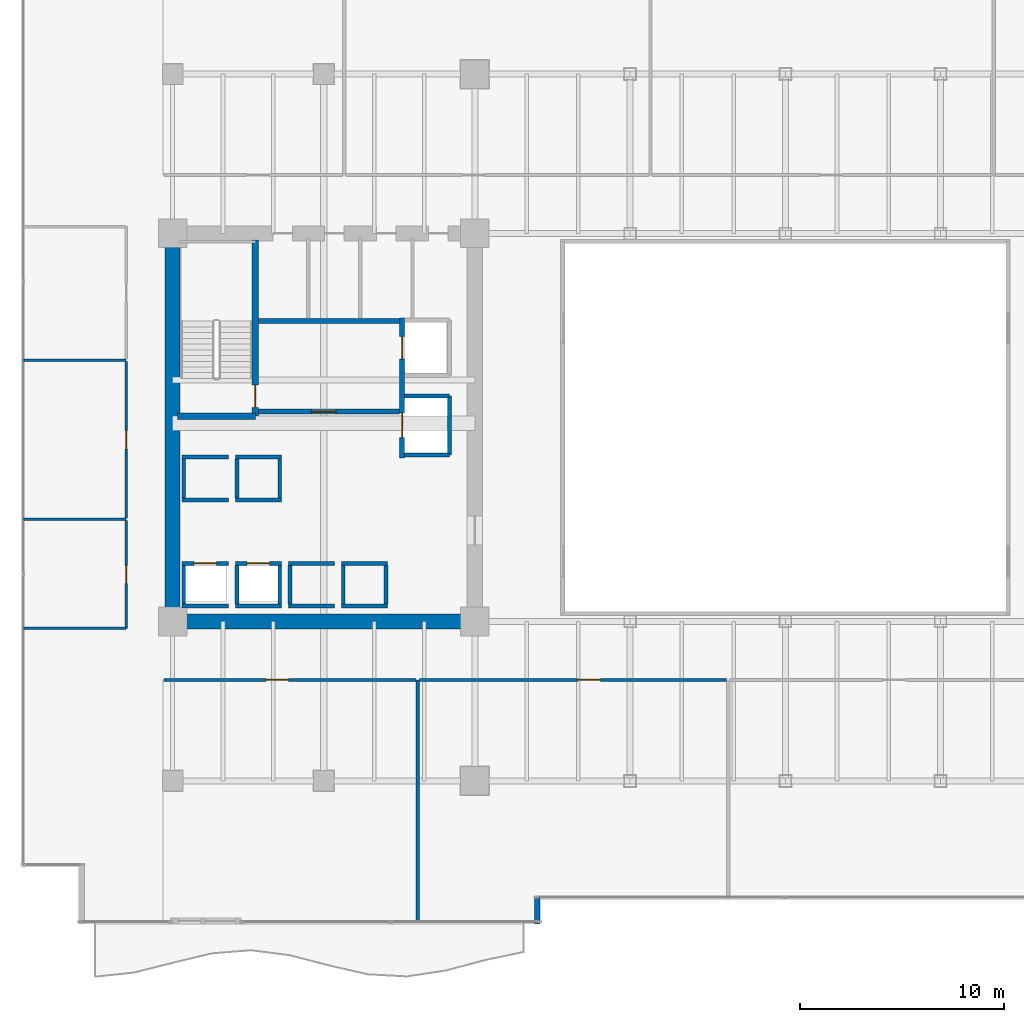
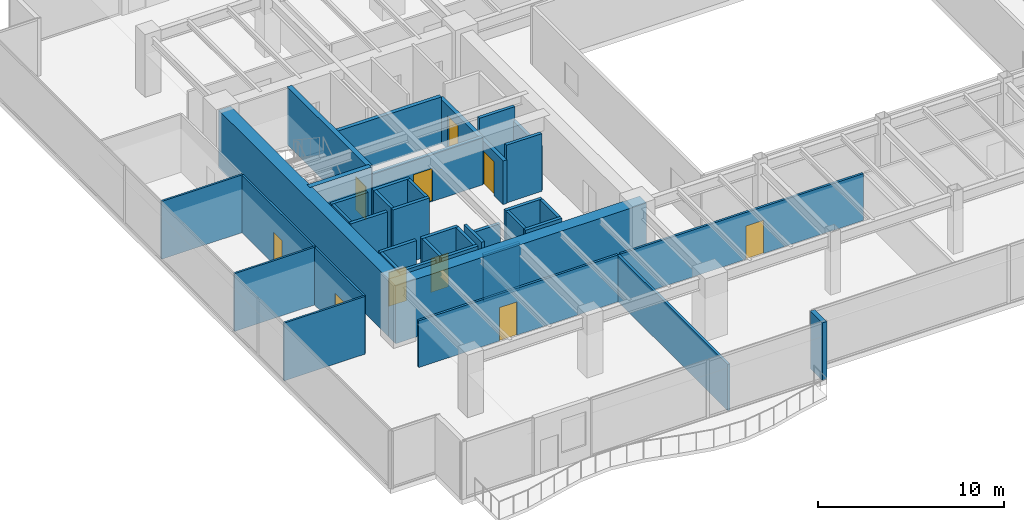
# One storey, part 24 of 32: 40 walls, 10 doors, 10 openings.
"""IFC4 building model written with IfcOpenShell, lengths in metres."""

import ifcopenshell
import ifcopenshell.guid

model = None  # the IFC model being written
_history = None  # IfcOwnerHistory: only IFC2X3 demands one
_inside = {}  # id of a spatial element -> (the spatial element, [elements in it])
_under = {}  # id of a project, library or spatial element -> (it, [spatial elements below it])
_declared = {}  # id of a project -> (the project, [libraries it declares])
_typed = {}  # id of a type object -> (the type object, [elements of that type])
_made_of = {}  # id of a material, layer set ... -> (it, [elements and type objects made of it])


def new_model(schema):
    """Start an empty IFC model of exactly this schema.

    Asked for "IFC4X3", IfcOpenShell would pick the latest addendum, in which some entities
    have other attributes; the version numbers below select the first issue.
    IFC2X3 requires an IfcOwnerHistory on every rooted entity: one is made here for all.
    """
    global model, _history
    if schema == "IFC4X3":
        model = ifcopenshell.file(schema_version=(4, 3, 0, 0))
    else:
        model = ifcopenshell.file(schema=schema)
    _inside.clear()
    _under.clear()
    _declared.clear()
    _typed.clear()
    _made_of.clear()
    _history = None
    if model.schema == "IFC2X3":
        org = make("IfcOrganization", Name="unknown")
        user = make(
            "IfcPersonAndOrganization",
            ThePerson=make("IfcPerson", FamilyName="unknown"),
            TheOrganization=org,
        )
        app = make(
            "IfcApplication",
            ApplicationDeveloper=org,
            Version="unknown",
            ApplicationFullName="unknown",
            ApplicationIdentifier="unknown",
        )
        _history = make(
            "IfcOwnerHistory",
            OwningUser=user,
            OwningApplication=app,
            ChangeAction="ADDED",
            CreationDate=0,
        )
    return model


def make(cls, **values):
    """One entity of the class cls with the attributes given. An attribute that is None is left unset."""
    return model.create_entity(
        cls, **{name: value for name, value in values.items() if value is not None}
    )


def rooted(cls, **values):
    """An entity with a GlobalId (a new one), such as an element, a storey or a relation."""
    return make(cls, GlobalId=ifcopenshell.guid.new(), OwnerHistory=_history, **values)


def si_unit(unit_type, name, prefix=None):
    """IfcSIUnit, for example si_unit("LENGTHUNIT", "METRE", prefix="MILLI")."""
    return make("IfcSIUnit", UnitType=unit_type, Prefix=prefix, Name=name)


def assignment(units):
    """IfcUnitAssignment: the units of a project."""
    return None if units is None else make("IfcUnitAssignment", Units=units)


def point(xyz):
    """IfcCartesianPoint."""
    return None if xyz is None else make("IfcCartesianPoint", Coordinates=xyz)


def direction(xyz):
    """IfcDirection."""
    return None if xyz is None else make("IfcDirection", DirectionRatios=xyz)


def frame(location, z_axis=None, x_axis=None):
    """IfcAxis2Placement3D, a coordinate frame: its origin and axes. An axis left out is left unset."""
    return make(
        "IfcAxis2Placement3D",
        Location=point(location),
        Axis=direction(z_axis),
        RefDirection=direction(x_axis),
    )


def frame_2d(location, x_axis=None):
    """IfcAxis2Placement2D, a coordinate frame in the plane: its origin and x axis."""
    return make(
        "IfcAxis2Placement2D", Location=point(location), RefDirection=direction(x_axis)
    )


def origin():
    """The frame at (0, 0, 0) with its axes left unset."""
    return frame((0.0, 0.0, 0.0))


def place(relative_to, where):
    """IfcLocalPlacement: puts the frame where relative to a parent placement (None: the world)."""
    return make(
        "IfcLocalPlacement", PlacementRelTo=relative_to, RelativePlacement=where
    )


def context(
    kind, dimensions, precision=None, world=None, true_north=None, identifier=None
):
    """IfcGeometricRepresentationContext, for example the 3D "Model" context."""
    return make(
        "IfcGeometricRepresentationContext",
        ContextIdentifier=identifier,
        ContextType=kind,
        CoordinateSpaceDimension=dimensions,
        Precision=precision,
        WorldCoordinateSystem=world,
        TrueNorth=true_north,
    )


def subcontext(parent, identifier, kind, view, scale=None):
    """IfcGeometricRepresentationSubContext, for example "Body" below "Model"."""
    return make(
        "IfcGeometricRepresentationSubContext",
        ContextIdentifier=identifier,
        ContextType=kind,
        ParentContext=parent,
        TargetScale=scale,
        TargetView=view,
    )


def project(units=None, contexts=None):
    """IfcProject with its units and contexts."""
    return rooted(
        "IfcProject",
        Name="project",
        RepresentationContexts=contexts,
        UnitsInContext=assignment(units),
    )


def spatial(cls, under=None, at=None, **own):
    """A site, building, storey or space (cls), placed at a placement, below another one or the project."""
    s = rooted(cls, ObjectPlacement=at, **own)
    if under is not None:
        _under.setdefault(under.id(), (under, []))[1].append(s)
    return s


def profile(cls, at=None, kind="AREA", **sizes):
    """A parametric profile (cls). Its sizes go by their IFC names, for example OverallWidth=200.0."""
    return make(cls, ProfileType=kind, Position=at, **sizes)


def rectangle(**sizes):
    """IfcRectangleProfileDef."""
    return profile("IfcRectangleProfileDef", **sizes)


def extrude(swept, where, along, depth):
    """IfcExtrudedAreaSolid: the profile swept, set in the frame where, extruded along a direction by depth."""
    return make(
        "IfcExtrudedAreaSolid",
        SweptArea=swept,
        Position=where,
        ExtrudedDirection=direction(along),
        Depth=depth,
    )


def shape(context_of_items, identifier, shape_type, items):
    """IfcShapeRepresentation: the items that make up one representation, for example the "Body"."""
    return make(
        "IfcShapeRepresentation",
        ContextOfItems=context_of_items,
        RepresentationIdentifier=identifier,
        RepresentationType=shape_type,
        Items=items,
    )


def source(mapping_origin, context_of_items, identifier, shape_type, items):
    """IfcRepresentationMap: a shape defined once, which mapped items show again and again."""
    return make(
        "IfcRepresentationMap",
        MappingOrigin=mapping_origin,
        MappedRepresentation=shape(context_of_items, identifier, shape_type, items),
    )


def transform(
    local_origin,
    x_axis=None,
    y_axis=None,
    z_axis=None,
    scale=None,
    scale2=None,
    scale3=None,
    uniform=True,
):
    """IfcCartesianTransformationOperator3D, or its non-uniform kind. x_axis, y_axis, z_axis: its Axis1, 2, 3."""
    if uniform:
        return make(
            "IfcCartesianTransformationOperator3D",
            Axis1=direction(x_axis),
            Axis2=direction(y_axis),
            LocalOrigin=point(local_origin),
            Scale=scale,
            Axis3=direction(z_axis),
        )
    return make(
        "IfcCartesianTransformationOperator3DnonUniform",
        Axis1=direction(x_axis),
        Axis2=direction(y_axis),
        LocalOrigin=point(local_origin),
        Scale=scale,
        Axis3=direction(z_axis),
        Scale2=scale2,
        Scale3=scale3,
    )


def mapped(mapping_source, mapping_target):
    """IfcMappedItem: shows the shape of a source again, moved by a transform."""
    return make(
        "IfcMappedItem", MappingSource=mapping_source, MappingTarget=mapping_target
    )


def material(Name=None, Category=None):
    """IfcMaterial."""
    return make("IfcMaterial", Name=Name, Category=Category)


def layer(
    of_material, thickness, ventilated=None, Name=None, Category=None, Priority=None
):
    """IfcMaterialLayer: one layer of a wall or slab, of a material (None: an air gap)."""
    return make(
        "IfcMaterialLayer",
        Material=of_material,
        LayerThickness=thickness,
        IsVentilated=ventilated,
        Name=Name,
        Category=Category,
        Priority=Priority,
    )


def layer_set(layers, Name=None):
    """IfcMaterialLayerSet."""
    return make("IfcMaterialLayerSet", MaterialLayers=layers, LayerSetName=Name)


def made_of(thing, what):
    """Note that an element or type object is made of a material, layer set ...; save() writes the relation."""
    if what is not None:
        _made_of.setdefault(what.id(), (what, []))[1].append(thing)
    return thing


def type_object(cls, material=None, **own):
    """A type object (cls), such as IfcWallType, which elements share."""
    return made_of(rooted(cls, **own), material)


def type_shapes(of_type, sources):
    """Give a type object the sources (RepresentationMaps) that its elements show as mapped items."""
    of_type.RepresentationMaps = sources


def element(
    cls,
    number,
    at=None,
    inside=None,
    cuts=None,
    type_object=None,
    material=None,
    context=None,
    identifier="Body",
    shape_type=None,
    held_by="IfcProductDefinitionShape",
    body=None,
    shapes=None,
    **own,
):
    """One element of the class cls, such as IfcWall. Its Tag is "e" and its number.

    at: its placement. inside: the storey or other place that contains it. cuts: it is an
    opening in that element (IfcRelVoidsElement). A single representation is given by context,
    identifier, shape_type and body (its items); several are given by shapes. held_by: the class
    of the entity that holds the representations. save() writes the other relations.
    """
    e = rooted(cls, Tag="e%d" % number, ObjectPlacement=at, **own)
    if body is not None:
        shapes = [shape(context, identifier, shape_type, body)]
    if shapes is not None:
        e.Representation = make(held_by, Representations=shapes)
    if inside is not None:
        _inside.setdefault(inside.id(), (inside, []))[1].append(e)
    if cuts is not None:
        rooted(
            "IfcRelVoidsElement", RelatingBuildingElement=cuts, RelatedOpeningElement=e
        )
    if type_object is not None:
        _typed.setdefault(type_object.id(), (type_object, []))[1].append(e)
    return made_of(e, material)


def fill(opening, filler):
    """IfcRelFillsElement: the door or window that sits in an opening."""
    return rooted(
        "IfcRelFillsElement",
        RelatingOpeningElement=opening,
        RelatedBuildingElement=filler,
    )


def aggregate(whole, parts):
    """IfcRelAggregates: a whole, such as a stair, and the parts it consists of."""
    return rooted("IfcRelAggregates", RelatingObject=whole, RelatedObjects=parts)


def save(model, path):
    """Write the relations noted so far, then the file.

    IfcRelAggregates (storeys below a building ...), IfcRelContainedInSpatialStructure (elements
    in a storey), IfcRelDefinesByType, IfcRelAssociatesMaterial and IfcRelDeclares: one each for
    every whole, place, type object, material and project.
    """
    for whole, parts in _under.values():
        aggregate(whole, parts)
    for where, things in _inside.values():
        rooted(
            "IfcRelContainedInSpatialStructure",
            RelatedElements=things,
            RelatingStructure=where,
        )
    for kind, things in _typed.values():
        rooted("IfcRelDefinesByType", RelatedObjects=things, RelatingType=kind)
    for what, things in _made_of.values():
        rooted("IfcRelAssociatesMaterial", RelatedObjects=things, RelatingMaterial=what)
    for by, libraries in _declared.values():
        rooted("IfcRelDeclares", RelatingContext=by, RelatedDefinitions=libraries)
    model.write(path)


model = new_model("IFC4")

# Units and contexts
model_context = context("Model", 3, precision=1e-05, world=origin(), true_north=direction((0.0, 1.0)))
body_context = subcontext(model_context, "Body", "Model", "MODEL_VIEW")
ifc_project = project(units=[si_unit("LENGTHUNIT", "METRE"), si_unit("AREAUNIT", "SQUARE_METRE"), si_unit("VOLUMEUNIT", "CUBIC_METRE"), si_unit("PLANEANGLEUNIT", "RADIAN"), si_unit("MASSUNIT", "GRAM", prefix="KILO")], contexts=[model_context])

# Site, building, storey
site_placement = place(None, origin())
site = spatial("IfcSite", under=ifc_project, at=site_placement, CompositionType="ELEMENT")
building_placement = place(site_placement, origin())
building = spatial("IfcBuilding", under=site, at=building_placement, Name="Haelvirn Gate Laboratories", CompositionType="ELEMENT")
storey_placement = place(building_placement, frame((0.0, 0.0, 33.39990234375)))
storey = spatial("IfcBuildingStorey", under=building, at=storey_placement, Name="L08", CompositionType="ELEMENT", Elevation=33.39990234375)

# Walls
ifc_material_1 = material(Name="Thermally-broken bronze aluminium rainscreen & mineral wool", Category="aluminium")
ifc_layer_1 = layer(ifc_material_1, 0.280029296875, Name="EW-TERR-280")
ifc_layer_set_1 = layer_set([ifc_layer_1], Name="Thermally-broken bronze aluminium rainscreen & mineral wool")
wall_type_1 = type_object("IfcWallType", Name="EW-TERR-280", PredefinedType="STANDARD", material=ifc_layer_set_1)
wall_1_placement = place(storey_placement, frame((25.260009765625, 0.0, 0.0), z_axis=(0.0, 0.0, 1.0), x_axis=(0.0, 1.0, 0.0)))
element("IfcWall", 1, at=wall_1_placement, inside=storey, type_object=wall_type_1, Name="L08 Atrium Recess Bronze Return Wall 01", PredefinedType="STANDARD", context=body_context, shape_type="SweptSolid", body=[
    extrude(rectangle(XDim=1.2880859375, YDim=0.280029296875, at=frame_2d((0.64404296875, 0.0))), origin(), (0.0, 0.0, 1.0), 3.780029296875),
])
ifc_material_2 = material(Name="Double-layer acoustic gypsum laboratory partition", Category="gypsum")
ifc_layer_2 = layer(ifc_material_2, 0.159912109375, Name="IW-ACOUST-160")
ifc_layer_set_2 = layer_set([ifc_layer_2], Name="Double-layer acoustic gypsum laboratory partition")
wall_type_2 = type_object("IfcWallType", Name="IW-ACOUST-160", PredefinedType="PARTITIONING", material=ifc_layer_set_2)
wall_2_placement = place(storey_placement, frame((19.39990234375, 0.110107421875, 0.0), z_axis=(0.0, 0.0, 1.0), x_axis=(0.0, 1.0, 0.0)))
element("IfcWall", 2, at=wall_2_placement, inside=storey, type_object=wall_type_2, Name="L08 Interior Wall IW-L08-SDIV-01", PredefinedType="PARTITIONING", context=body_context, shape_type="SweptSolid", body=[
    extrude(rectangle(XDim=11.829833984375, YDim=0.159912109375, at=frame_2d((5.9150390625, 0.0))), origin(), (0.0, 0.0, 1.0), 3.01513671875),
])
ifc_material_3 = material(Name="Lightweight acoustic gypsum board partition", Category="gypsum")
ifc_layer_3 = layer(ifc_material_3, 0.1201171875, Name="IW-PART-120")
ifc_layer_set_3 = layer_set([ifc_layer_3], Name="Lightweight acoustic gypsum board partition")
wall_type_3 = type_object("IfcWallType", Name="IW-PART-120", PredefinedType="PARTITIONING", material=ifc_layer_set_3)
wall_3_placement = place(storey_placement, frame((0.110107421875, 14.465087890625, 0.0), z_axis=(0.0, 0.0, 1.0), x_axis=(1.0, 0.0, 0.0)))
element("IfcWall", 3, at=wall_3_placement, inside=storey, type_object=wall_type_3, Name="L08 Interior Wall IW-L08-WCAP-S", PredefinedType="PARTITIONING", context=body_context, shape_type="SweptSolid", body=[
    extrude(rectangle(XDim=5.019775390625, YDim=0.1201171875, at=frame_2d((2.509765625, 0.0))), origin(), (0.0, 0.0, 1.0), 3.780029296875),
])

# Wall, opening, door
wall_4_placement = place(storey_placement, frame((5.1298828125, 14.465087890625, 0.0), z_axis=(0.0, 0.0, 1.0), x_axis=(0.0, 1.0, 0.0)))
wall_4 = element("IfcWall", 4, at=wall_4_placement, inside=storey, type_object=wall_type_3, Name="L08 Interior Wall IW-L08-WPASS-01", PredefinedType="PARTITIONING", context=body_context, shape_type="SweptSolid", body=[
    extrude(rectangle(XDim=5.27490234375, YDim=0.1201171875, at=frame_2d((2.637451171875, 0.0))), origin(), (0.0, 0.0, 1.0), 3.780029296875),
])
opening_1_placement = place(wall_4_placement, frame((2.1875, 0.0, 0.0)))
opening_1 = element("IfcOpeningElement", 5, at=opening_1_placement, cuts=wall_4, Name="Opening D4", PredefinedType="OPENING", context=body_context, shape_type="SweptSolid", body=[
    extrude(rectangle(XDim=0.89990234375, YDim=2.10009765625, at=frame_2d((0.449951171875, 1.050048828125))), frame((0.0, 0.070068359375, 0.0), z_axis=(0.0, -1.0, 0.0), x_axis=(1.0, 0.0, 0.0)), (0.0, 0.0, 1.0), 0.14013671875),
])
ifc_material_4 = material(Name="Glazed aluminium-framed write-up door", Category="aluminium")
door_type_1 = type_object("IfcDoorType", Name="DR-OFF-900", OperationType="NOTDEFINED", PredefinedType="DOOR", material=ifc_material_4)
shared_shape_1 = source(origin(), body_context, "Body", "SweptSolid", [
    extrude(rectangle(XDim=0.89990234375, YDim=2.10009765625, at=frame_2d((0.449951171875, 1.050048828125))), frame((0.0, 0.02490234375, 0.0), z_axis=(0.0, -1.0, 0.0), x_axis=(1.0, 0.0, 0.0)), (0.0, 0.0, 1.0), 0.050048828125),
])
type_shapes(door_type_1, [shared_shape_1])
door_1_placement = place(opening_1_placement, origin())
door_1 = element("IfcDoor", 6, at=door_1_placement, inside=storey, type_object=door_type_1, Name="L08 Bioprocess Foundry Laboratory Door W1", OperationType="SINGLE_SWING_LEFT", OverallHeight=2.10009765625, OverallWidth=0.89990234375, PredefinedType="DOOR", context=body_context, shape_type="MappedRepresentation", body=[
    mapped(shared_shape_1, transform((0.0, 0.0, 0.0), scale=1.0)),
])
fill(opening_1, door_1)

# Wall
wall_5_placement = place(storey_placement, frame((0.110107421875, 19.800048828125, 0.0), z_axis=(0.0, 0.0, 1.0), x_axis=(1.0, 0.0, 0.0)))
element("IfcWall", 7, at=wall_5_placement, inside=storey, type_object=wall_type_3, Name="L08 Interior Wall IW-L08-WDIV-01", PredefinedType="PARTITIONING", context=body_context, shape_type="SweptSolid", body=[
    extrude(rectangle(XDim=5.019775390625, YDim=0.1201171875, at=frame_2d((2.509765625, 0.0))), origin(), (0.0, 0.0, 1.0), 3.780029296875),
])

# Wall, opening, door
wall_6_placement = place(storey_placement, frame((5.1298828125, 19.860107421875, 0.0), z_axis=(0.0, 0.0, 1.0), x_axis=(0.0, 1.0, 0.0)))
wall_6 = element("IfcWall", 8, at=wall_6_placement, inside=storey, type_object=wall_type_3, Name="L08 Interior Wall IW-L08-WPASS-02", PredefinedType="PARTITIONING", context=body_context, shape_type="SweptSolid", body=[
    extrude(rectangle(XDim=7.679931640625, YDim=0.1201171875, at=frame_2d((3.83984375, 0.0))), origin(), (0.0, 0.0, 1.0), 3.780029296875),
])
opening_2_placement = place(wall_6_placement, frame((3.389892578125, 0.0, 0.0)))
opening_2 = element("IfcOpeningElement", 9, at=opening_2_placement, cuts=wall_6, Name="Opening D4", PredefinedType="OPENING", context=body_context, shape_type="SweptSolid", body=[
    extrude(rectangle(XDim=0.89990234375, YDim=2.10009765625, at=frame_2d((0.449951171875, 1.050048828125))), frame((0.0, 0.070068359375, 0.0), z_axis=(0.0, -1.0, 0.0), x_axis=(1.0, 0.0, 0.0)), (0.0, 0.0, 1.0), 0.14013671875),
])
door_2_placement = place(opening_2_placement, origin())
door_2 = element("IfcDoor", 10, at=door_2_placement, inside=storey, type_object=door_type_1, Name="L08 Genomics Assay Laboratory Door W2", OperationType="SINGLE_SWING_RIGHT", OverallHeight=2.10009765625, OverallWidth=0.89990234375, PredefinedType="DOOR", context=body_context, shape_type="MappedRepresentation", body=[
    mapped(shared_shape_1, transform((0.0, 0.0, 0.0), scale=1.0)),
])
fill(opening_2, door_2)

# Wall
wall_7_placement = place(storey_placement, frame((0.110107421875, 27.60009765625, 0.0), z_axis=(0.0, 0.0, 1.0), x_axis=(1.0, 0.0, 0.0)))
element("IfcWall", 11, at=wall_7_placement, inside=storey, type_object=wall_type_3, Name="L08 Interior Wall IW-L08-WDIV-02", PredefinedType="PARTITIONING", context=body_context, shape_type="SweptSolid", body=[
    extrude(rectangle(XDim=5.019775390625, YDim=0.1201171875, at=frame_2d((2.509765625, 0.0))), origin(), (0.0, 0.0, 1.0), 3.780029296875),
])

# Wall, opening, door
ifc_material_5 = material(Name="Acoustic mineral-wool gypsum board partition", Category="gypsum")
ifc_layer_4 = layer(ifc_material_5, 0.139892578125, Name="IW-PART-140")
ifc_layer_set_4 = layer_set([ifc_layer_4], Name="Acoustic mineral-wool gypsum board partition")
wall_type_4 = type_object("IfcWallType", Name="IW-PART-140", PredefinedType="PARTITIONING", material=ifc_layer_set_4)
wall_8_placement = place(storey_placement, frame((6.97998046875, 11.93994140625, 0.0), z_axis=(0.0, 0.0, 1.0), x_axis=(1.0, 0.0, 0.0)))
wall_8 = element("IfcWall", 12, at=wall_8_placement, inside=storey, type_object=wall_type_4, Name="L08 Interior Wall IW-L08-SCORR-01", PredefinedType="PARTITIONING", context=body_context, shape_type="SweptSolid", body=[
    extrude(rectangle(XDim=12.340087890625, YDim=0.139892578125, at=frame_2d((6.169921875, 0.0))), origin(), (0.0, 0.0, 1.0), 3.065185546875),
])
opening_3_placement = place(wall_8_placement, frame((4.987548828125, 0.0, 0.0)))
opening_3 = element("IfcOpeningElement", 13, at=opening_3_placement, cuts=wall_8, Name="Opening D1", PredefinedType="OPENING", context=body_context, shape_type="SweptSolid", body=[
    extrude(rectangle(XDim=1.10009765625, YDim=2.179931640625, at=frame_2d((0.550048828125, 1.08984375))), frame((0.0, 0.080078125, 0.0), z_axis=(0.0, -1.0, 0.0), x_axis=(1.0, 0.0, 0.0)), (0.0, 0.0, 1.0), 0.159912109375),
])
ifc_material_6 = material(Name="Vision-panel acoustic solid-core timber lab door", Category="wood")
door_type_2 = type_object("IfcDoorType", Name="DR-LAB-1100", OperationType="NOTDEFINED", PredefinedType="DOOR", material=ifc_material_6)
shared_shape_2 = source(origin(), body_context, "Body", "SweptSolid", [
    extrude(rectangle(XDim=1.10009765625, YDim=2.179931640625, at=frame_2d((0.550048828125, 1.08984375))), frame((0.0, 0.02490234375, 0.0), z_axis=(0.0, -1.0, 0.0), x_axis=(1.0, 0.0, 0.0)), (0.0, 0.0, 1.0), 0.050048828125),
])
type_shapes(door_type_2, [shared_shape_2])
door_3_placement = place(opening_3_placement, origin())
door_3 = element("IfcDoor", 14, at=door_3_placement, inside=storey, type_object=door_type_2, Name="L08 Bioinformatics Dry-Lab Workspace Door S1", OperationType="SINGLE_SWING_LEFT", OverallHeight=2.179931640625, OverallWidth=1.10009765625, PredefinedType="DOOR", context=body_context, shape_type="MappedRepresentation", body=[
    mapped(shared_shape_2, transform((0.0, 0.0, 0.0), scale=1.0)),
])
fill(opening_3, door_3)

wall_9_placement = place(storey_placement, frame((19.47998046875, 11.93994140625, 0.0), z_axis=(0.0, 0.0, 1.0), x_axis=(1.0, 0.0, 0.0)))
wall_9 = element("IfcWall", 15, at=wall_9_placement, inside=storey, type_object=wall_type_4, Name="L08 Interior Wall IW-L08-SCORR-02", PredefinedType="PARTITIONING", context=body_context, shape_type="SweptSolid", body=[
    extrude(rectangle(XDim=15.0400390625, YDim=0.139892578125, at=frame_2d((7.52001953125, 0.0))), origin(), (0.0, 0.0, 1.0), 3.065185546875),
])
opening_4_placement = place(wall_9_placement, frame((7.764404296875, 0.0, 0.0)))
opening_4 = element("IfcOpeningElement", 16, at=opening_4_placement, cuts=wall_9, Name="Opening D1", PredefinedType="OPENING", context=body_context, shape_type="SweptSolid", body=[
    extrude(rectangle(XDim=1.10009765625, YDim=2.179931640625, at=frame_2d((0.550048828125, 1.08984375))), frame((0.0, 0.080078125, 0.0), z_axis=(0.0, -1.0, 0.0), x_axis=(1.0, 0.0, 0.0)), (0.0, 0.0, 1.0), 0.159912109375),
])
door_4_placement = place(opening_4_placement, origin())
door_4 = element("IfcDoor", 17, at=door_4_placement, inside=storey, type_object=door_type_2, Name="L08 Translational Data Office Door S2", OperationType="SINGLE_SWING_RIGHT", OverallHeight=2.179931640625, OverallWidth=1.10009765625, PredefinedType="DOOR", context=body_context, shape_type="MappedRepresentation", body=[
    mapped(shared_shape_2, transform((0.0, 0.0, 0.0), scale=1.0)),
])
fill(opening_4, door_4)

# Walls
ifc_material_7 = material(Name="Concrete C40/50", Category="concrete")
ifc_layer_5 = layer(ifc_material_7, 0.179931640625, Name="IW-SHAFT-180")
ifc_layer_set_5 = layer_set([ifc_layer_5], Name="Concrete C40/50")
wall_type_5 = type_object("IfcWallType", Name="IW-SHAFT-180", PredefinedType="SOLIDWALL", material=ifc_layer_set_5)
for number, where, z_axis, x_axis, name in (
    (18, (7.949951171875, 15.64990234375, 0.0), (0.0, 0.0, 1.0), (0.0, 1.0, 0.0), "L08 Interior Wall IW-L08-PL1-SD"),
    (19, (10.550048828125, 15.64990234375, 0.0), (0.0, 0.0, 1.0), (0.0, 1.0, 0.0), "L08 Interior Wall IW-L08-PL2-SD"),
    (20, (12.64990234375, 15.64990234375, 0.0), (0.0, 0.0, 1.0), (0.0, 1.0, 0.0), "L08 Interior Wall IW-L08-PL2-SDE"),
    (21, (13.14990234375, 15.64990234375, 0.0), (0.0, 0.0, 1.0), (0.0, 1.0, 0.0), "L08 Interior Wall IW-L08-PL5-SD"),
    (22, (15.75, 15.64990234375, 0.0), (0.0, 0.0, 1.0), (0.0, 1.0, 0.0), "L08 Interior Wall IW-L08-PL6-SD"),
    (23, (17.85009765625, 15.64990234375, 0.0), (0.0, 0.0, 1.0), (0.0, 1.0, 0.0), "L08 Interior Wall IW-L08-PL6-SDE"),
):
    element("IfcWall", number, at=place(storey_placement, frame(where, z_axis=z_axis, x_axis=x_axis)), inside=storey, type_object=wall_type_5, Name=name, PredefinedType="SOLIDWALL", context=body_context, shape_type="SweptSolid", body=[
        extrude(rectangle(XDim=1.900146484375, YDim=0.179931640625, at=frame_2d((0.9501953125, 0.0))), origin(), (0.0, 0.0, 1.0), 3.780029296875),
    ])
for number, where, z_axis, x_axis, name in (
    (24, (7.949951171875, 20.85009765625, 0.0), (0.0, 0.0, 1.0), (0.0, 1.0, 0.0), "L08 Interior Wall IW-L08-PL9-SD"),
    (25, (10.550048828125, 20.85009765625, 0.0), (0.0, 0.0, 1.0), (0.0, 1.0, 0.0), "L08 Interior Wall IW-L08-PL10-SD"),
    (26, (12.64990234375, 20.85009765625, 0.0), (0.0, 0.0, 1.0), (0.0, 1.0, 0.0), "L08 Interior Wall IW-L08-PL10-SDE"),
):
    element("IfcWall", number, at=place(storey_placement, frame(where, z_axis=z_axis, x_axis=x_axis)), inside=storey, type_object=wall_type_5, Name=name, PredefinedType="SOLIDWALL", context=body_context, shape_type="SweptSolid", body=[
        extrude(rectangle(XDim=1.89990234375, YDim=0.179931640625, at=frame_2d((0.949951171875, 0.0))), origin(), (0.0, 0.0, 1.0), 3.780029296875),
    ])

# Wall, opening, door
ifc_layer_6 = layer(ifc_material_7, 0.199951171875, Name="IW-SHAFT-200")
ifc_layer_set_6 = layer_set([ifc_layer_6], Name="Concrete C40/50")
wall_type_6 = type_object("IfcWallType", Name="IW-SHAFT-200", PredefinedType="SOLIDWALL", material=ifc_layer_set_6)
wall_10_placement = place(storey_placement, frame((7.8701171875, 17.64990234375, 0.0), z_axis=(0.0, 0.0, 1.0), x_axis=(1.0, 0.0, 0.0)))
wall_10 = element("IfcWall", 27, at=wall_10_placement, inside=storey, type_object=wall_type_6, Name="L08 Interior Wall IW-L08-PL1-FR", PredefinedType="SOLIDWALL", context=body_context, shape_type="SweptSolid", body=[
    extrude(rectangle(XDim=2.259765625, YDim=0.199951171875, at=frame_2d((1.1298828125, 0.0))), origin(), (0.0, 0.0, 1.0), 3.780029296875),
])
opening_5_placement = place(wall_10_placement, frame((0.580078125, 0.0, 0.0)))
opening_5 = element("IfcOpeningElement", 28, at=opening_5_placement, cuts=wall_10, Name="Opening LD2", PredefinedType="OPENING", context=body_context, shape_type="SweptSolid", body=[
    extrude(rectangle(XDim=1.10009765625, YDim=2.219970703125, at=frame_2d((0.550048828125, 1.10986328125))), frame((0.0, 0.10986328125, 0.0), z_axis=(0.0, -1.0, 0.0), x_axis=(1.0, 0.0, 0.0)), (0.0, 0.0, 1.0), 0.219970703125),
])
ifc_material_8 = material(Name="Bronze stainless 316L sliding lift landing door")
door_type_3 = type_object("IfcDoorType", Name="DR-LD-1100", OperationType="NOTDEFINED", PredefinedType="USERDEFINED", material=ifc_material_8)
shared_shape_3 = source(origin(), body_context, "Body", "SweptSolid", [
    extrude(rectangle(XDim=1.10009765625, YDim=2.219970703125, at=frame_2d((0.550048828125, 1.10986328125))), frame((0.0, 0.02490234375, 0.0), z_axis=(0.0, -1.0, 0.0), x_axis=(1.0, 0.0, 0.0)), (0.0, 0.0, 1.0), 0.050048828125),
])
type_shapes(door_type_3, [shared_shape_3])
door_5_placement = place(opening_5_placement, origin())
door_5 = element("IfcDoor", 29, at=door_5_placement, inside=storey, type_object=door_type_3, Name="L08 Passenger Lift PL1 Landing Door", ObjectType="LANDING_DOOR", OperationType="SLIDING_TO_LEFT", OverallHeight=2.219970703125, OverallWidth=1.10009765625, PredefinedType="USERDEFINED", context=body_context, shape_type="MappedRepresentation", body=[
    mapped(shared_shape_3, transform((0.0, 0.0, 0.0), scale=1.0)),
])
fill(opening_5, door_5)

# Wall
wall_11_placement = place(storey_placement, frame((7.8701171875, 15.550048828125, 0.0), z_axis=(0.0, 0.0, 1.0), x_axis=(1.0, 0.0, 0.0)))
element("IfcWall", 30, at=wall_11_placement, inside=storey, type_object=wall_type_6, Name="L08 Interior Wall IW-L08-PL1-BK", PredefinedType="SOLIDWALL", context=body_context, shape_type="SweptSolid", body=[
    extrude(rectangle(XDim=2.259765625, YDim=0.199951171875, at=frame_2d((1.1298828125, 0.0))), origin(), (0.0, 0.0, 1.0), 3.780029296875),
])

# Wall, opening, door
wall_12_placement = place(storey_placement, frame((10.469970703125, 17.64990234375, 0.0), z_axis=(0.0, 0.0, 1.0), x_axis=(1.0, 0.0, 0.0)))
wall_12 = element("IfcWall", 31, at=wall_12_placement, inside=storey, type_object=wall_type_6, Name="L08 Interior Wall IW-L08-PL2-FR", PredefinedType="SOLIDWALL", context=body_context, shape_type="SweptSolid", body=[
    extrude(rectangle(XDim=2.260009765625, YDim=0.199951171875, at=frame_2d((1.1298828125, 0.0))), origin(), (0.0, 0.0, 1.0), 3.780029296875),
])
opening_6_placement = place(wall_12_placement, frame((0.580078125, 0.0, 0.0)))
opening_6 = element("IfcOpeningElement", 32, at=opening_6_placement, cuts=wall_12, Name="Opening LD2", PredefinedType="OPENING", context=body_context, shape_type="SweptSolid", body=[
    extrude(rectangle(XDim=1.10009765625, YDim=2.219970703125, at=frame_2d((0.550048828125, 1.10986328125))), frame((0.0, 0.10986328125, 0.0), z_axis=(0.0, -1.0, 0.0), x_axis=(1.0, 0.0, 0.0)), (0.0, 0.0, 1.0), 0.219970703125),
])
door_6_placement = place(opening_6_placement, origin())
door_6 = element("IfcDoor", 33, at=door_6_placement, inside=storey, type_object=door_type_3, Name="L08 Passenger Lift PL2 Landing Door", ObjectType="LANDING_DOOR", OperationType="SLIDING_TO_RIGHT", OverallHeight=2.219970703125, OverallWidth=1.10009765625, PredefinedType="USERDEFINED", context=body_context, shape_type="MappedRepresentation", body=[
    mapped(shared_shape_3, transform((0.0, 0.0, 0.0), scale=1.0)),
])
fill(opening_6, door_6)

# Walls
wall_13_placement = place(storey_placement, frame((10.469970703125, 15.550048828125, 0.0), z_axis=(0.0, 0.0, 1.0), x_axis=(1.0, 0.0, 0.0)))
element("IfcWall", 34, at=wall_13_placement, inside=storey, type_object=wall_type_6, Name="L08 Interior Wall IW-L08-PL2-BK", PredefinedType="SOLIDWALL", context=body_context, shape_type="SweptSolid", body=[
    extrude(rectangle(XDim=2.260009765625, YDim=0.199951171875, at=frame_2d((1.1298828125, 0.0))), origin(), (0.0, 0.0, 1.0), 3.780029296875),
])
for number, where, z_axis, x_axis, name in (
    (35, (13.070068359375, 17.64990234375, 0.0), (0.0, 0.0, 1.0), (1.0, 0.0, 0.0), "L08 Interior Wall IW-L08-PL5-FR"),
    (36, (13.070068359375, 15.550048828125, 0.0), (0.0, 0.0, 1.0), (1.0, 0.0, 0.0), "L08 Interior Wall IW-L08-PL5-BK"),
):
    element("IfcWall", number, at=place(storey_placement, frame(where, z_axis=z_axis, x_axis=x_axis)), inside=storey, type_object=wall_type_6, Name=name, PredefinedType="SOLIDWALL", context=body_context, shape_type="SweptSolid", body=[
        extrude(rectangle(XDim=2.260009765625, YDim=0.199951171875, at=frame_2d((1.1298828125, 0.0))), origin(), (0.0, 0.0, 1.0), 3.065185546875),
    ])
for number, where, z_axis, x_axis, name in (
    (37, (15.669921875, 17.64990234375, 0.0), (0.0, 0.0, 1.0), (1.0, 0.0, 0.0), "L08 Interior Wall IW-L08-PL6-FR"),
    (38, (15.669921875, 15.550048828125, 0.0), (0.0, 0.0, 1.0), (1.0, 0.0, 0.0), "L08 Interior Wall IW-L08-PL6-BK"),
):
    element("IfcWall", number, at=place(storey_placement, frame(where, z_axis=z_axis, x_axis=x_axis)), inside=storey, type_object=wall_type_6, Name=name, PredefinedType="SOLIDWALL", context=body_context, shape_type="SweptSolid", body=[
        extrude(rectangle(XDim=2.260009765625, YDim=0.199951171875, at=frame_2d((1.1298828125, 0.0))), origin(), (0.0, 0.0, 1.0), 3.780029296875),
    ])
for number, where, z_axis, x_axis, name in (
    (39, (7.8701171875, 20.75, 0.0), (0.0, 0.0, 1.0), (1.0, 0.0, 0.0), "L08 Interior Wall IW-L08-PL9-FR"),
    (40, (7.8701171875, 22.85009765625, 0.0), (0.0, 0.0, 1.0), (1.0, 0.0, 0.0), "L08 Interior Wall IW-L08-PL9-BK"),
):
    element("IfcWall", number, at=place(storey_placement, frame(where, z_axis=z_axis, x_axis=x_axis)), inside=storey, type_object=wall_type_6, Name=name, PredefinedType="SOLIDWALL", context=body_context, shape_type="SweptSolid", body=[
        extrude(rectangle(XDim=2.259765625, YDim=0.199951171875, at=frame_2d((1.1298828125, 0.0))), origin(), (0.0, 0.0, 1.0), 3.780029296875),
    ])
for number, where, z_axis, x_axis, name in (
    (41, (10.469970703125, 20.75, 0.0), (0.0, 0.0, 1.0), (1.0, 0.0, 0.0), "L08 Interior Wall IW-L08-PL10-FR"),
    (42, (10.469970703125, 22.85009765625, 0.0), (0.0, 0.0, 1.0), (1.0, 0.0, 0.0), "L08 Interior Wall IW-L08-PL10-BK"),
):
    element("IfcWall", number, at=place(storey_placement, frame(where, z_axis=z_axis, x_axis=x_axis)), inside=storey, type_object=wall_type_6, Name=name, PredefinedType="SOLIDWALL", context=body_context, shape_type="SweptSolid", body=[
        extrude(rectangle(XDim=2.260009765625, YDim=0.199951171875, at=frame_2d((1.1298828125, 0.0))), origin(), (0.0, 0.0, 1.0), 3.780029296875),
    ])
wall_14_placement = place(storey_placement, frame((20.949951171875, 22.949951171875, 0.0), z_axis=(0.0, 0.0, 1.0), x_axis=(0.0, 1.0, 0.0)))
element("IfcWall", 43, at=wall_14_placement, inside=storey, type_object=wall_type_6, Name="L08 Interior Wall IW-L08-SL1-BK", PredefinedType="SOLIDWALL", context=body_context, shape_type="SweptSolid", body=[
    extrude(rectangle(XDim=2.900146484375, YDim=0.199951171875, at=frame_2d((1.4501953125, 0.0))), origin(), (0.0, 0.0, 1.0), 2.864990234375),
])
for number, where, z_axis, x_axis, name in (
    (44, (18.760009765625, 25.85009765625, 0.0), (0.0, 0.0, 1.0), (1.0, 0.0, 0.0), "L08 Interior Wall IW-L08-SL1-N"),
    (45, (18.760009765625, 22.949951171875, 0.0), (0.0, 0.0, 1.0), (1.0, 0.0, 0.0), "L08 Interior Wall IW-L08-SL1-S"),
):
    element("IfcWall", number, at=place(storey_placement, frame(where, z_axis=z_axis, x_axis=x_axis)), inside=storey, type_object=wall_type_6, Name=name, PredefinedType="SOLIDWALL", context=body_context, shape_type="SweptSolid", body=[
        extrude(rectangle(XDim=2.18994140625, YDim=0.199951171875, at=frame_2d((1.094970703125, 0.0))), origin(), (0.0, 0.0, 1.0), 3.780029296875),
    ])

# Wall, opening, door
ifc_layer_7 = layer(ifc_material_7, 0.239990234375, Name="IW-SHAFT-240")
ifc_layer_set_7 = layer_set([ifc_layer_7], Name="Concrete C40/50")
wall_type_7 = type_object("IfcWallType", Name="IW-SHAFT-240", PredefinedType="SOLIDWALL", material=ifc_layer_set_7)
wall_15_placement = place(storey_placement, frame((11.60009765625, 25.080078125, 0.0), z_axis=(0.0, 0.0, 1.0), x_axis=(1.0, 0.0, 0.0)))
wall_15 = element("IfcWall", 46, at=wall_15_placement, inside=storey, type_object=wall_type_7, Name="L08 Interior Wall IW-L08-W-FF-S", PredefinedType="SOLIDWALL", context=body_context, shape_type="SweptSolid", body=[
    extrude(rectangle(XDim=6.919921875, YDim=0.239990234375, at=frame_2d((3.4599609375, 0.0))), origin(), (0.0, 0.0, 1.0), 3.065185546875),
])
opening_7_placement = place(wall_15_placement, frame((2.60009765625, 0.0, 0.0)))
opening_7 = element("IfcOpeningElement", 47, at=opening_7_placement, cuts=wall_15, Name="Opening FD2", PredefinedType="OPENING", context=body_context, shape_type="SweptSolid", body=[
    extrude(rectangle(XDim=1.199951171875, YDim=2.159912109375, at=frame_2d((0.60009765625, 1.080078125))), frame((0.0, 0.1298828125, 0.0), z_axis=(0.0, -1.0, 0.0), x_axis=(1.0, 0.0, 0.0)), (0.0, 0.0, 1.0), 0.260009765625),
])
ifc_material_9 = material(Name="Fire-rated steel SM355 compartment door", Category="steel")
door_type_4 = type_object("IfcDoorType", Name="DR-FD-1200", OperationType="NOTDEFINED", PredefinedType="DOOR", material=ifc_material_9)
shared_shape_4 = source(origin(), body_context, "Body", "SweptSolid", [
    extrude(rectangle(XDim=1.199951171875, YDim=2.159912109375, at=frame_2d((0.60009765625, 1.080078125))), frame((0.0, 0.02490234375, 0.0), z_axis=(0.0, -1.0, 0.0), x_axis=(1.0, 0.0, 0.0)), (0.0, 0.0, 1.0), 0.050048828125),
])
type_shapes(door_type_4, [shared_shape_4])
door_7_placement = place(opening_7_placement, origin())
door_7 = element("IfcDoor", 48, at=door_7_placement, inside=storey, type_object=door_type_4, Name="L08 West Firefighting Lobby Door", OperationType="SINGLE_SWING_RIGHT", OverallHeight=2.159912109375, OverallWidth=1.199951171875, PredefinedType="DOOR", context=body_context, shape_type="MappedRepresentation", body=[
    mapped(shared_shape_4, transform((0.0, 0.0, 0.0), scale=1.0)),
])
fill(opening_7, door_7)

# Wall
wall_16_placement = place(storey_placement, frame((11.60009765625, 29.52001953125, 0.0), z_axis=(0.0, 0.0, 1.0), x_axis=(1.0, 0.0, 0.0)))
element("IfcWall", 49, at=wall_16_placement, inside=storey, type_object=wall_type_7, Name="L08 Interior Wall IW-L08-W-FF-N", PredefinedType="SOLIDWALL", context=body_context, shape_type="SweptSolid", body=[
    extrude(rectangle(XDim=6.919921875, YDim=0.239990234375, at=frame_2d((3.4599609375, 0.0))), origin(), (0.0, 0.0, 1.0), 3.065185546875),
])

# Wall, openings, doors
wall_17_placement = place(storey_placement, frame((18.639892578125, 22.800048828125, 0.0), z_axis=(0.0, 0.0, 1.0), x_axis=(0.0, 1.0, 0.0)))
wall_17 = element("IfcWall", 50, at=wall_17_placement, inside=storey, type_object=wall_type_7, Name="L08 Interior Wall IW-L08-W-FF-E", PredefinedType="SOLIDWALL", context=body_context, shape_type="SweptSolid", body=[
    extrude(rectangle(XDim=6.849853515625, YDim=0.239990234375, at=frame_2d((3.4248046875, 0.0))), origin(), (0.0, 0.0, 1.0), 2.864990234375),
])
opening_8_placement = place(wall_17_placement, frame((4.85009765625, 0.0, 0.0)))
opening_8 = element("IfcOpeningElement", 51, at=opening_8_placement, cuts=wall_17, Name="Opening LD2", PredefinedType="OPENING", context=body_context, shape_type="SweptSolid", body=[
    extrude(rectangle(XDim=1.10009765625, YDim=2.219970703125, at=frame_2d((0.550048828125, 1.10986328125))), frame((0.0, 0.1298828125, 0.0), z_axis=(0.0, -1.0, 0.0), x_axis=(1.0, 0.0, 0.0)), (0.0, 0.0, 1.0), 0.260009765625),
])
opening_9_placement = place(wall_17_placement, frame((1.0, 0.0, 0.0)))
opening_9 = element("IfcOpeningElement", 52, at=opening_9_placement, cuts=wall_17, Name="Opening LD1", PredefinedType="OPENING", context=body_context, shape_type="SweptSolid", body=[
    extrude(rectangle(XDim=1.199951171875, YDim=2.219970703125, at=frame_2d((0.60009765625, 1.10986328125))), frame((0.0, 0.1298828125, 0.0), z_axis=(0.0, -1.0, 0.0), x_axis=(1.0, 0.0, 0.0)), (0.0, 0.0, 1.0), 0.260009765625),
])
door_8_placement = place(opening_8_placement, origin())
door_8 = element("IfcDoor", 53, at=door_8_placement, inside=storey, type_object=door_type_3, Name="L08 Firefighting Lift FL1 Landing Door", ObjectType="LANDING_DOOR", OperationType="SLIDING_TO_LEFT", OverallHeight=2.219970703125, OverallWidth=1.10009765625, PredefinedType="USERDEFINED", context=body_context, shape_type="MappedRepresentation", body=[
    mapped(shared_shape_3, transform((0.0, 0.0, 0.0), scale=1.0)),
])
fill(opening_8, door_8)
ifc_material_10 = material(Name="Stainless steel 316L sliding goods landing door", Category="steel")
door_type_5 = type_object("IfcDoorType", Name="DR-LD-1200", OperationType="NOTDEFINED", PredefinedType="USERDEFINED", material=ifc_material_10)
shared_shape_5 = source(origin(), body_context, "Body", "SweptSolid", [
    extrude(rectangle(XDim=1.199951171875, YDim=2.219970703125, at=frame_2d((0.60009765625, 1.10986328125))), frame((0.0, 0.02490234375, 0.0), z_axis=(0.0, -1.0, 0.0), x_axis=(1.0, 0.0, 0.0)), (0.0, 0.0, 1.0), 0.050048828125),
])
type_shapes(door_type_5, [shared_shape_5])
door_9_placement = place(opening_9_placement, origin())
door_9 = element("IfcDoor", 54, at=door_9_placement, inside=storey, type_object=door_type_5, Name="L08 Service Lift SL1 Landing Door", ObjectType="LANDING_DOOR", OperationType="SLIDING_TO_RIGHT", OverallHeight=2.219970703125, OverallWidth=1.199951171875, PredefinedType="USERDEFINED", context=body_context, shape_type="MappedRepresentation", body=[
    mapped(shared_shape_5, transform((0.0, 0.0, 0.0), scale=1.0)),
])
fill(opening_9, door_9)

# Walls
ifc_material_11 = material(Name="Concrete C70/85", Category="concrete")
ifc_layer_8 = layer(ifc_material_11, 0.75, Name="SW-CORE-750")
ifc_layer_set_8 = layer_set([ifc_layer_8], Name="Concrete C70/85")
wall_type_8 = type_object("IfcWallType", Name="SW-CORE-750", PredefinedType="SHEAR", material=ifc_layer_set_8)
wall_18_placement = place(storey_placement, frame((7.02490234375, 14.800048828125, 0.0), z_axis=(0.0, 0.0, 1.0), x_axis=(1.0, 0.0, 0.0)))
element("IfcWall", 55, at=wall_18_placement, inside=storey, type_object=wall_type_8, Name="L08 W Core Shear Wall S", PredefinedType="SHEAR", context=body_context, shape_type="SweptSolid", body=[
    extrude(rectangle(XDim=15.550048828125, YDim=0.75, at=frame_2d((7.77490234375, 0.0))), origin(), (0.0, 0.0, 1.0), 3.780029296875),
])
wall_19_placement = place(storey_placement, frame((7.39990234375, 15.175048828125, 0.0), z_axis=(0.0, 0.0, 1.0), x_axis=(0.0, 1.0, 0.0)))
element("IfcWall", 56, at=wall_19_placement, inside=storey, type_object=wall_type_8, Name="L08 W Core Shear Wall W", PredefinedType="SHEAR", context=body_context, shape_type="SweptSolid", body=[
    extrude(rectangle(XDim=18.25, YDim=0.75, at=frame_2d((9.125, 0.0))), origin(), (0.0, 0.0, 1.0), 3.780029296875),
])

# Wall, opening, door
ifc_material_12 = material(Name="Concrete C50/60", Category="concrete")
ifc_layer_9 = layer(ifc_material_12, 0.300048828125, Name="SW-STAIR-300")
ifc_layer_set_9 = layer_set([ifc_layer_9], Name="Concrete C50/60")
wall_type_9 = type_object("IfcWallType", Name="SW-STAIR-300", PredefinedType="SHEAR", material=ifc_layer_set_9)
wall_20_placement = place(storey_placement, frame((11.449951171875, 24.85009765625, 0.0), z_axis=(0.0, 0.0, 1.0), x_axis=(0.0, 1.0, 0.0)))
wall_20 = element("IfcWall", 57, at=wall_20_placement, inside=storey, type_object=wall_type_9, Name="L08 W Core Stair Shaft Structural Wall IN", PredefinedType="SHEAR", context=body_context, shape_type="SweptSolid", body=[
    extrude(rectangle(XDim=8.6298828125, YDim=0.300048828125, at=frame_2d((4.31494140625, 0.0))), origin(), (0.0, 0.0, 1.0), 3.780029296875),
])
opening_10_placement = place(wall_20_placement, frame((0.419921875, 0.0, 0.0)))
opening_10 = element("IfcOpeningElement", 58, at=opening_10_placement, cuts=wall_20, Name="Opening FD3", PredefinedType="OPENING", context=body_context, shape_type="SweptSolid", body=[
    extrude(rectangle(XDim=1.10009765625, YDim=2.14990234375, at=frame_2d((0.550048828125, 1.074951171875))), frame((0.0, 0.16015625, 0.0), z_axis=(0.0, -1.0, 0.0), x_axis=(1.0, 0.0, 0.0)), (0.0, 0.0, 1.0), 0.320068359375),
])
ifc_material_13 = material(Name="Fire-rated steel SM355 escape stair door", Category="steel")
door_type_6 = type_object("IfcDoorType", Name="DR-FD-1100", OperationType="NOTDEFINED", PredefinedType="DOOR", material=ifc_material_13)
shared_shape_6 = source(origin(), body_context, "Body", "SweptSolid", [
    extrude(rectangle(XDim=1.10009765625, YDim=2.14990234375, at=frame_2d((0.550048828125, 1.074951171875))), frame((0.0, 0.02490234375, 0.0), z_axis=(0.0, -1.0, 0.0), x_axis=(1.0, 0.0, 0.0)), (0.0, 0.0, 1.0), 0.050048828125),
])
type_shapes(door_type_6, [shared_shape_6])
door_10_placement = place(opening_10_placement, origin())
door_10 = element("IfcDoor", 59, at=door_10_placement, inside=storey, type_object=door_type_6, Name="L08 Escape Stair ST1 Fire Door", OperationType="SINGLE_SWING_LEFT", OverallHeight=2.14990234375, OverallWidth=1.10009765625, PredefinedType="DOOR", context=body_context, shape_type="MappedRepresentation", body=[
    mapped(shared_shape_6, transform((0.0, 0.0, 0.0), scale=1.0)),
])
fill(opening_10, door_10)

# Wall
wall_21_placement = place(storey_placement, frame((7.64990234375, 24.85009765625, 0.0), z_axis=(0.0, 0.0, 1.0), x_axis=(1.0, 0.0, 0.0)))
element("IfcWall", 60, at=wall_21_placement, inside=storey, type_object=wall_type_9, Name="L08 W Core Stair Shaft Structural Wall S", PredefinedType="SHEAR", context=body_context, shape_type="SweptSolid", body=[
    extrude(rectangle(XDim=3.800048828125, YDim=0.300048828125, at=frame_2d((1.89990234375, 0.0))), origin(), (0.0, 0.0, 1.0), 3.780029296875),
])

save(model, "model.ifc")
